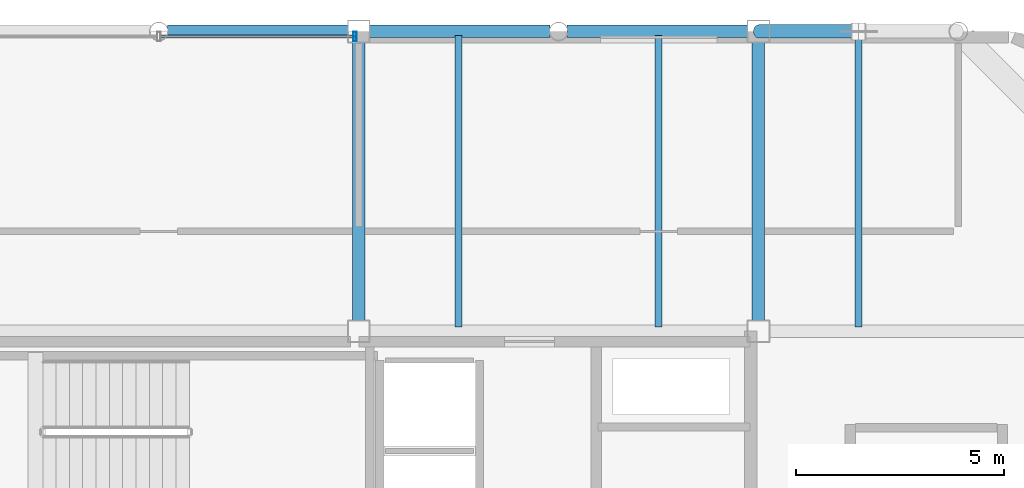
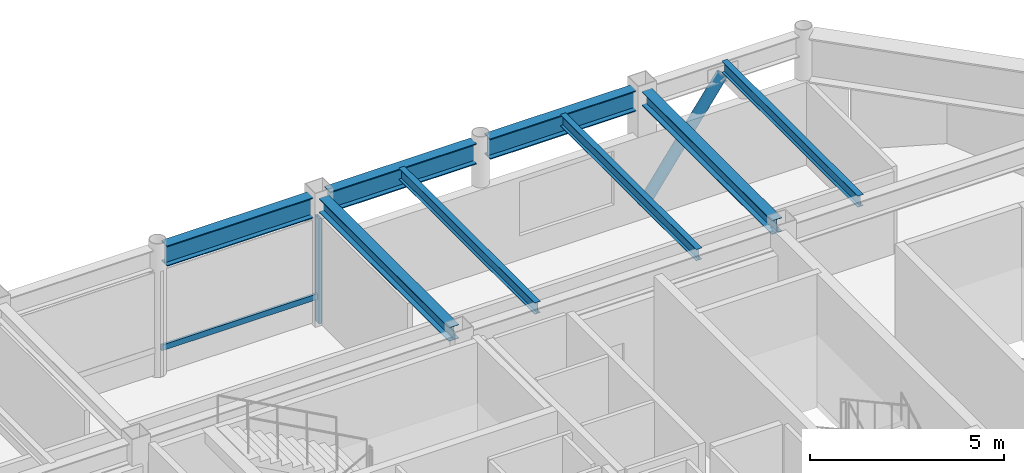
# One storey, part 14 of 21: 8 beams, 3 members, 1 element without a shape of its own.
"""IFC4 building model written with IfcOpenShell, lengths in metres."""

from ifc_helpers import new_model, si_unit, direction, frame, origin, origin_2d, place, context, subcontext, project, spatial, hollow_rectangle, hollow_circle, i_section, extrude, material, layer, layer_set, material_profile, profile_set, type_object, element, aggregate, save


model = new_model("IFC4")

# Units and contexts
model_context = context("Model", 3, precision=1e-05, world=origin(), true_north=direction((0.0, 1.0)))
body_context = subcontext(model_context, "Body", "Model", "MODEL_VIEW")
ifc_project = project(units=[si_unit("LENGTHUNIT", "METRE"), si_unit("AREAUNIT", "SQUARE_METRE"), si_unit("VOLUMEUNIT", "CUBIC_METRE"), si_unit("PLANEANGLEUNIT", "RADIAN"), si_unit("MASSUNIT", "GRAM", prefix="KILO")], contexts=[model_context])

# Site, building, storey
site_placement = place(None, origin())
site = spatial("IfcSite", under=ifc_project, at=site_placement, CompositionType="ELEMENT")
building_placement = place(site_placement, origin())
building = spatial("IfcBuilding", under=site, at=building_placement, Name="Kallvorn Hotel Tower", CompositionType="ELEMENT")
storey_placement = place(building_placement, frame((0.0, 0.0, 286.39990234375)))
storey = spatial("IfcBuildingStorey", under=building, at=storey_placement, Name="L71", CompositionType="ELEMENT", Elevation=286.39990234375)

# Beams
ifc_material_1 = material(Name="Structural steel S355JR", Category="steel")
ifc_material_profile_1 = material_profile(ifc_material_1, i_section(OverallWidth=0.300048828125, OverallDepth=0.43994140625, WebThickness=0.011474609375, FlangeThickness=0.02099609375, at=origin_2d()), Name="HE 450 A")
ifc_profile_set_1 = profile_set([ifc_material_profile_1], Name="Structural steel S355JR")
beam_type_1 = type_object("IfcBeamType", Name="BM_HE450A", PredefinedType="BEAM", material=ifc_profile_set_1)
for number, where, z_axis, x_axis, name in (
    (1, (4.800048828125, 7.449951171875, 3.780029296875), (0.0, 1.0, 0.0), (-1.0, 0.0, 0.0), "L72 Primary Y-Girder 42"),
    (2, (14.39990234375, 7.449951171875, 3.780029296875), (0.0, 1.0, 0.0), (-1.0, 0.0, 0.0), "L72 Primary Y-Girder 45"),
):
    element("IfcBeam", number, at=place(storey_placement, frame(where, z_axis=z_axis, x_axis=x_axis)), inside=storey, type_object=beam_type_1, Name=name, PredefinedType="BEAM", context=body_context, shape_type="SweptSolid", body=[
        extrude(i_section(OverallWidth=0.300048828125, OverallDepth=0.43994140625, WebThickness=0.011474609375, FlangeThickness=0.02099609375, at=origin_2d()), origin(), (0.0, 0.0, 1.0), 6.699951171875),
    ])
ifc_material_2 = material(Name="Structural steel S355JR", Category="steel")
ifc_material_profile_2 = material_profile(ifc_material_2, i_section(OverallWidth=0.300048828125, OverallDepth=0.64990234375, WebThickness=0.01611328125, FlangeThickness=0.031005859375, at=origin_2d()), Name="HE 650 B")
ifc_profile_set_2 = profile_set([ifc_material_profile_2], Name="Structural steel S355JR")
beam_type_2 = type_object("IfcBeamType", Name="BM_HE650B", PredefinedType="BEAM", material=ifc_profile_set_2)
for number, where, z_axis, x_axis, name in (
    (3, (0.20361328125, 14.39990234375, 3.675048828125), (1.0, 0.0, 0.0), (0.0, 1.0, 0.0), "L72 Primary X-Girder 21"),
    (4, (5.050048828125, 14.39990234375, 3.675048828125), (1.0, 0.0, 0.0), (0.0, 1.0, 0.0), "L72 Primary X-Girder 22"),
    (5, (9.803466796875, 14.39990234375, 3.675048828125), (1.0, 0.0, 0.0), (0.0, 1.0, 0.0), "L72 Primary X-Girder 23"),
):
    element("IfcBeam", number, at=place(storey_placement, frame(where, z_axis=z_axis, x_axis=x_axis)), inside=storey, type_object=beam_type_2, Name=name, PredefinedType="BEAM", context=body_context, shape_type="SweptSolid", body=[
        extrude(i_section(OverallWidth=0.300048828125, OverallDepth=0.64990234375, WebThickness=0.01611328125, FlangeThickness=0.031005859375, at=origin_2d()), origin(), (0.0, 0.0, 1.0), 4.346435546875),
    ])
ifc_material_3 = material(Name="Structural steel S355JR", Category="steel")
ifc_material_profile_3 = material_profile(ifc_material_3, i_section(OverallWidth=0.169921875, OverallDepth=0.360107421875, WebThickness=0.008056640625, FlangeThickness=0.0126953125, at=origin_2d()), Name="IPE 360")
ifc_profile_set_3 = profile_set([ifc_material_profile_3], Name="Structural steel S355JR")
beam_type_3 = type_object("IfcBeamType", Name="BM_IPE360", PredefinedType="JOIST", material=ifc_profile_set_3)
for number, where, z_axis, x_axis, name in (
    (6, (7.199951171875, 7.300048828125, 3.820068359375), (0.0, 1.0, 0.0), (-1.0, 0.0, 0.0), "L72 Secondary Composite Joist 100"),
    (7, (12.0, 7.300048828125, 3.820068359375), (0.0, 1.0, 0.0), (-1.0, 0.0, 0.0), "L72 Secondary Composite Joist 102"),
    (8, (16.800048828125, 7.300048828125, 3.820068359375), (0.0, 1.0, 0.0), (-1.0, 0.0, 0.0), "L72 Secondary Composite Joist 104"),
):
    element("IfcBeam", number, at=place(storey_placement, frame(where, z_axis=z_axis, x_axis=x_axis)), inside=storey, type_object=beam_type_3, Name=name, PredefinedType="JOIST", context=body_context, shape_type="SweptSolid", body=[
        extrude(i_section(OverallWidth=0.169921875, OverallDepth=0.360107421875, WebThickness=0.008056640625, FlangeThickness=0.0126953125, at=origin_2d()), origin(), (0.0, 0.0, 1.0), 7.0),
    ])

# Curtain wall, members
ifc_material_4 = material(Name="Thermally broken black-anodised aluminium AA 6063-T6", Category="aluminium")
ifc_layer = layer(ifc_material_4, 0.25)
ifc_layer_set = layer_set([ifc_layer], Name="CW_SYS_6_SUMMIT_OBS")
curtain_wall_type = type_object("IfcCurtainWallType", Name="CW_SYS_6_SUMMIT_OBS", PredefinedType="USERDEFINED", material=ifc_layer_set)
curtain_wall_placement = place(storey_placement, origin())
curtain_wall = element("IfcCurtainWall", 9, at=curtain_wall_placement, inside=storey, type_object=curtain_wall_type, Name="L71 Dark-Glass Curtain Wall CW-L71-NC", ObjectType="UNITISED CURTAIN WALL", PredefinedType="USERDEFINED")
ifc_material_5 = material(Name="Thermally broken black-anodised aluminium AA 6063-T6", Category="aluminium")
ifc_material_profile_4 = material_profile(ifc_material_5, hollow_rectangle(XDim=0.080078125, YDim=0.219970703125, WallThickness=0.0048828125, at=origin_2d()), Name="MUL 220x80")
ifc_profile_set_4 = profile_set([ifc_material_profile_4], Name="Thermally broken black-anodised aluminium AA 6063-T6")
member_type_1 = type_object("IfcMemberType", Name="CW_MULLION_220x80", PredefinedType="MULLION", material=ifc_profile_set_4)
member_1_placement = place(storey_placement, frame((4.7099609375, 14.280029296875, 0.02001953125), z_axis=(0.0, 0.0, 1.0), x_axis=(1.0, 0.0, 0.0)))
member_1 = element("IfcMember", 10, at=member_1_placement, type_object=member_type_1, Name="CW-L71-NC Mullion 02", PredefinedType="MULLION", context=body_context, shape_type="SweptSolid", body=[
    extrude(hollow_rectangle(XDim=0.080078125, YDim=0.219970703125, WallThickness=0.0048828125, at=origin_2d()), origin(), (0.0, 0.0, 1.0), 3.31005859375),
])
ifc_material_6 = material(Name="Thermally broken black-anodised aluminium AA 6063-T6", Category="aluminium")
ifc_material_profile_5 = material_profile(ifc_material_6, hollow_rectangle(XDim=0.070068359375, YDim=0.179931640625, WallThickness=0.00390625, at=origin_2d()), Name="TRN 180x70")
ifc_profile_set_5 = profile_set([ifc_material_profile_5], Name="Thermally broken black-anodised aluminium AA 6063-T6")
member_type_2 = type_object("IfcMemberType", Name="CW_TRANSOM_180x70", PredefinedType="USERDEFINED", material=ifc_profile_set_5)
member_2_placement = place(storey_placement, frame((0.0400390625, 14.280029296875, 0.85009765625), z_axis=(1.0, 0.0, 0.0), x_axis=(0.0, 1.0, 0.0)))
member_2 = element("IfcMember", 11, at=member_2_placement, type_object=member_type_2, Name="CW-L71-NC Transom 01M", ObjectType="TRANSOM", PredefinedType="USERDEFINED", context=body_context, shape_type="SweptSolid", body=[
    extrude(hollow_rectangle(XDim=0.070068359375, YDim=0.179931640625, WallThickness=0.00390625, at=origin_2d()), origin(), (0.0, 0.0, 1.0), 4.669921875),
])
aggregate(curtain_wall, [member_1, member_2])

# Member
ifc_material_7 = material(Name="Structural steel S355J2H", Category="steel")
ifc_material_profile_6 = material_profile(ifc_material_7, hollow_circle(Radius=0.161865234375, WallThickness=0.012451171875, at=origin_2d()), Name="CHS 323.9x12.5")
ifc_profile_set_6 = profile_set([ifc_material_profile_6], Name="Structural steel S355J2H")
member_type_3 = type_object("IfcMemberType", Name="MBR_EXO_CHS323", PredefinedType="BRACE", material=ifc_profile_set_6)
member_3_placement = place(storey_placement, frame((14.41162109375, 14.39990234375, 0.1962890625), z_axis=(0.581238193719, 0.0, 0.813733471207), x_axis=(0.0, 1.0, 0.0)))
element("IfcMember", 12, at=member_3_placement, inside=storey, type_object=member_type_3, Name="L71 Exoskeleton K-Brace N2A", PredefinedType="BRACE", context=body_context, shape_type="SweptSolid", body=[
    extrude(hollow_circle(Radius=0.161865234375, WallThickness=0.012451171875, at=origin_2d()), origin(), (0.0, 0.0, 1.0), 4.089111328125),
])

save(model, "model.ifc")
